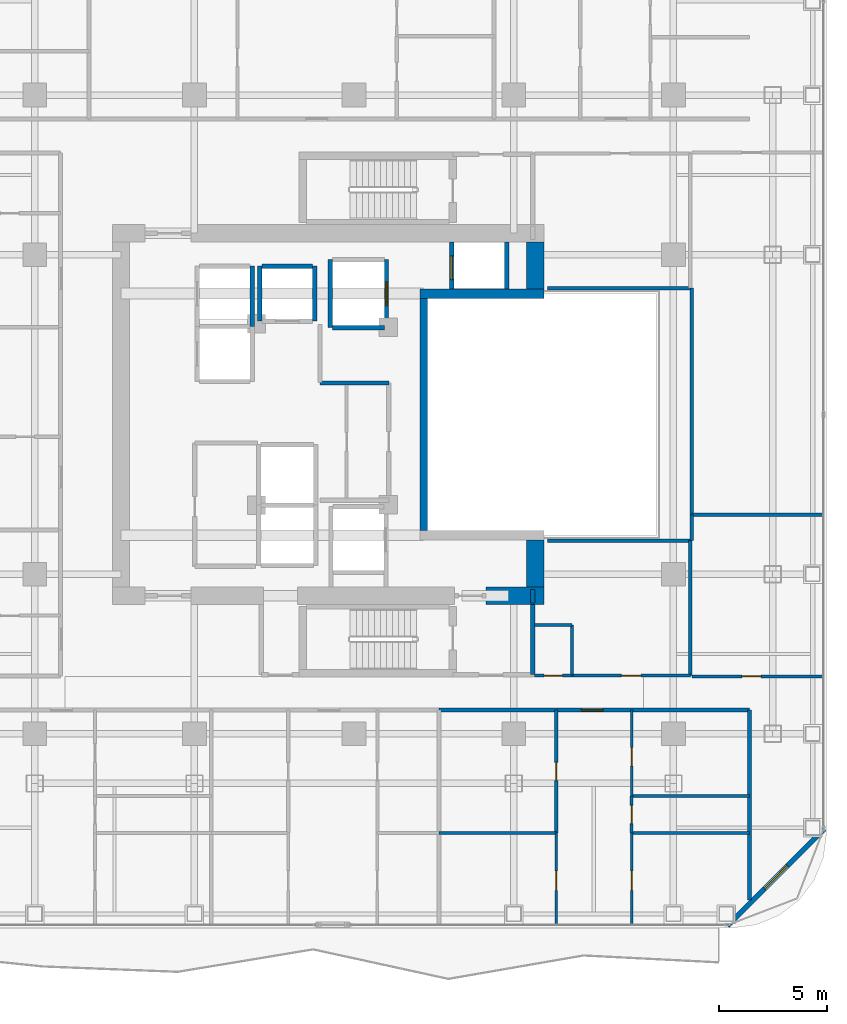
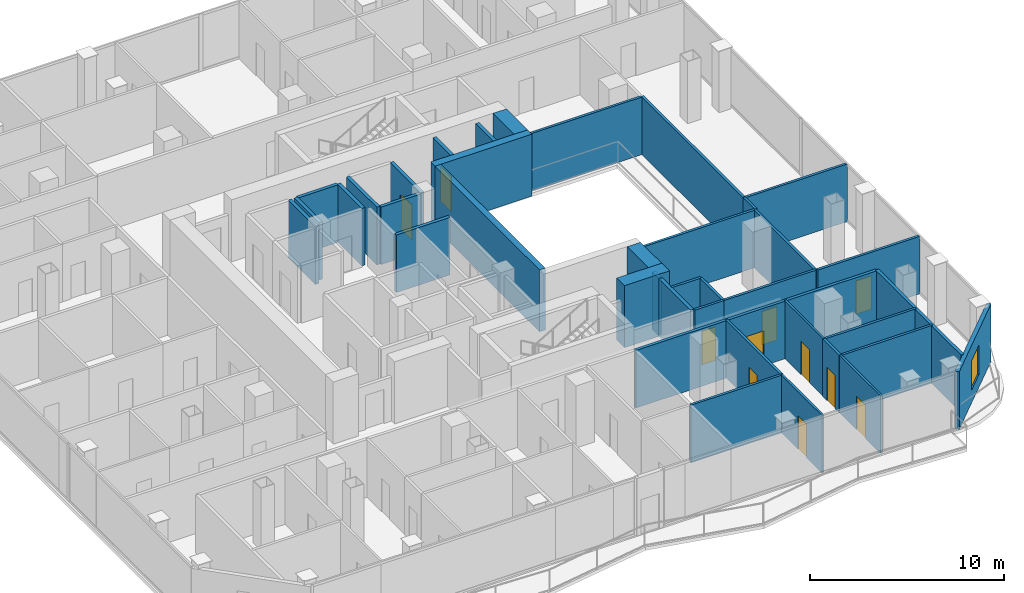
# One storey, part 21 of 26: 39 walls, 11 doors, 1 window, 12 openings.
"""IFC4 building model written with IfcOpenShell, lengths in metres."""

from ifc_helpers import new_model, si_unit, direction, frame, frame_2d, origin, place, context, subcontext, project, spatial, rectangle, extrude, material, layer, layer_set, type_object, element, fill, save


model = new_model("IFC4")

# Units and contexts
model_context = context("Model", 3, precision=1e-05, world=origin(), true_north=direction((0.0, 1.0)))
body_context = subcontext(model_context, "Body", "Model", "MODEL_VIEW")
ifc_project = project(units=[si_unit("LENGTHUNIT", "METRE"), si_unit("AREAUNIT", "SQUARE_METRE"), si_unit("VOLUMEUNIT", "CUBIC_METRE"), si_unit("PLANEANGLEUNIT", "RADIAN"), si_unit("MASSUNIT", "GRAM", prefix="KILO")], contexts=[model_context])

# Site, building, storey
site_placement = place(None, origin())
site = spatial("IfcSite", under=ifc_project, at=site_placement, CompositionType="ELEMENT")
building_placement = place(site_placement, origin())
building = spatial("IfcBuilding", under=site, at=building_placement, Name="Khorvyn Point Tower", CompositionType="ELEMENT")
storey_placement = place(building_placement, frame((0.0, 0.0, 187.5)))
storey = spatial("IfcBuildingStorey", under=building, at=storey_placement, Name="L46", CompositionType="ELEMENT", Elevation=187.5)

# Wall, opening, door
ifc_material_1 = material(Name="Double acoustic gypsum on twin steel stud", Category="steel")
ifc_layer_1 = layer(ifc_material_1, 0.179931640625)
ifc_layer_set_1 = layer_set([ifc_layer_1], Name="Acoustic Double-Stud Apartment Demising Wall 180")
wall_type_1 = type_object("IfcWallType", Name="Acoustic Double-Stud Apartment Demising Wall 180", PredefinedType="PARTITIONING", material=ifc_layer_set_1)
wall_1_placement = place(storey_placement, frame((3.929931640625, -13.699951171875, 0.0), z_axis=(0.0, 0.0, 1.0), x_axis=(1.0, 0.0, 0.0)))
wall_1 = element("IfcWall", 1, at=wall_1_placement, inside=storey, type_object=wall_type_1, Name="Wall", PredefinedType="PARTITIONING", context=body_context, shape_type="SweptSolid", body=[
    extrude(rectangle(XDim=14.39013671875, YDim=0.179931640625, at=frame_2d((7.195068359375, 0.0))), origin(), (0.0, 0.0, 1.0), 3.6201171875),
])
opening_1_placement = place(wall_1_placement, frame((6.60546875, 0.0, 0.0)))
opening_1 = element("IfcOpeningElement", 2, at=opening_1_placement, cuts=wall_1, Name="Opening ID-AP60", PredefinedType="OPENING", context=body_context, shape_type="SweptSolid", body=[
    extrude(rectangle(XDim=1.0, YDim=2.199951171875, at=frame_2d((0.5, 1.10009765625))), frame((0.0, 0.099853515625, 0.0), z_axis=(0.0, -1.0, 0.0), x_axis=(1.0, 0.0, 0.0)), (0.0, 0.0, 1.0), 0.199951171875),
])
ifc_material_2 = material(Name="Engineered hardwood fire-rated leaf", Category="wood")
door_type_1 = type_object("IfcDoorType", Name="Acoustic Solid-Core Timber Apartment Entrance Door 1000x2200", OperationType="NOTDEFINED", PredefinedType="DOOR", material=ifc_material_2)
door_1_placement = place(opening_1_placement, origin())
door_1 = element("IfcDoor", 3, at=door_1_placement, inside=storey, type_object=door_type_1, Name="Door", OperationType="SINGLE_SWING_LEFT", OverallHeight=2.199951171875, OverallWidth=1.0, PredefinedType="DOOR", context=body_context, shape_type="SweptSolid", body=[
    extrude(rectangle(XDim=1.0, YDim=2.199951171875, at=frame_2d((0.5, 1.10009765625))), frame((0.0, 0.02490234375, 0.0), z_axis=(0.0, -1.0, 0.0), x_axis=(1.0, 0.0, 0.0)), (0.0, 0.0, 1.0), 0.050048828125),
])
fill(opening_1, door_1)

# Wall
wall_2_placement = place(storey_placement, frame((18.320068359375, -22.510009765625, 0.0), z_axis=(0.0, 0.0, 1.0), x_axis=(0.0, 1.0, 0.0)))
element("IfcWall", 4, at=wall_2_placement, inside=storey, type_object=wall_type_1, Name="Wall", PredefinedType="PARTITIONING", context=body_context, shape_type="SweptSolid", body=[
    extrude(rectangle(XDim=8.81005859375, YDim=0.179931640625, at=frame_2d((4.405029296875, 0.0))), origin(), (0.0, 0.0, 1.0), 3.6201171875),
])

# Wall, opening, window
ifc_material_3 = material(Name="Pale anodised aluminium rainscreen on steel stud", Category="steel")
ifc_layer_2 = layer(ifc_material_3, 0.239990234375)
ifc_layer_set_2 = layer_set([ifc_layer_2], Name="Anodised Aluminium Insulated Corner Spandrel Wall 240")
wall_type_2 = type_object("IfcWallType", Name="Anodised Aluminium Insulated Corner Spandrel Wall 240", PredefinedType="SOLIDWALL", material=ifc_layer_set_2)
wall_3_placement = place(storey_placement, frame((21.79248046875, -19.20751953125, 0.0), z_axis=(0.0, 0.0, 1.0), x_axis=(-0.707106781187, -0.707106781187, 0.0)))
wall_3 = element("IfcWall", 5, at=wall_3_placement, inside=storey, type_object=wall_type_2, Name="L46 Rounded Corner Wall SE", PredefinedType="SOLIDWALL", context=body_context, shape_type="SweptSolid", body=[
    extrude(rectangle(XDim=6.342529296875, YDim=0.239990234375, at=frame_2d((3.17138671875, 0.0))), origin(), (0.0, 0.0, 1.0), 3.6201171875),
])
opening_2_placement = place(wall_3_placement, frame((2.42138671875, 0.0, 0.800048828125)))
opening_2 = element("IfcOpeningElement", 6, at=opening_2_placement, cuts=wall_3, Name="Opening WN-1518", PredefinedType="OPENING", context=body_context, shape_type="SweptSolid", body=[
    extrude(rectangle(XDim=1.5, YDim=1.85009765625, at=frame_2d((0.75, 0.925048828125))), frame((0.0, 0.1298828125, 0.0), z_axis=(0.0, -1.0, 0.0), x_axis=(1.0, 0.0, 0.0)), (0.0, 0.0, 1.0), 0.260009765625),
])
ifc_material_4 = material(Name="Anodised aluminium 6063-T6 and laminated Low-E glass", Category="aluminium")
window_type = type_object("IfcWindowType", Name="Anodised Aluminium Rounded-Corner Panoramic Window 1500x1850", PartitioningType="SINGLE_PANEL", PredefinedType="WINDOW", material=ifc_material_4)
window_placement = place(opening_2_placement, origin())
window = element("IfcWindow", 7, at=window_placement, inside=storey, type_object=window_type, Name="L46 Corner Panoramic Window SE", OverallHeight=1.85009765625, OverallWidth=1.5, PartitioningType="SINGLE_PANEL", PredefinedType="WINDOW", context=body_context, shape_type="SweptSolid", body=[
    extrude(rectangle(XDim=1.5, YDim=1.85009765625, at=frame_2d((0.75, 0.925048828125))), frame((0.0, 0.030029296875, 0.0), z_axis=(0.0, -1.0, 0.0), x_axis=(1.0, 0.0, 0.0)), (0.0, 0.0, 1.0), 0.06005859375),
])
fill(opening_2, window)

# Walls
ifc_material_5 = material(Name="Concrete C40/50", Category="concrete")
ifc_layer_3 = layer(ifc_material_5, 0.449951171875)
ifc_layer_set_3 = layer_set([ifc_layer_3], Name="Concrete C40/50 Core Shear Wall 450")
wall_type_3 = type_object("IfcWallType", Name="Concrete C40/50 Core Shear Wall 450", PredefinedType="SHEAR", material=ifc_layer_set_3)
wall_4_placement = place(storey_placement, frame((3.044921875, 5.60009765625, 0.0), z_axis=(0.0, 0.0, 1.0), x_axis=(1.0, 0.0, 0.0)))
element("IfcWall", 8, at=wall_4_placement, inside=storey, type_object=wall_type_3, Name="Wall", PredefinedType="SHEAR", context=body_context, shape_type="SweptSolid", body=[
    extrude(rectangle(XDim=5.755126953125, YDim=0.449951171875, at=frame_2d((2.87744140625, 0.0))), origin(), (0.0, 0.0, 1.0), 3.89990234375),
])
ifc_layer_4 = layer(ifc_material_5, 0.199951171875)
ifc_layer_set_4 = layer_set([ifc_layer_4], Name="Concrete C40/50 Fire-Lobby Compartment Wall 200")
wall_type_4 = type_object("IfcWallType", Name="Concrete C40/50 Fire-Lobby Compartment Wall 200", PredefinedType="SOLIDWALL", material=ifc_layer_set_4)
wall_5_placement = place(storey_placement, frame((8.280029296875, -12.06005859375, 0.0), z_axis=(0.0, 0.0, 1.0), x_axis=(0.0, 1.0, 0.0)))
element("IfcWall", 9, at=wall_5_placement, inside=storey, type_object=wall_type_4, Name="Wall", PredefinedType="SOLIDWALL", context=body_context, shape_type="SweptSolid", body=[
    extrude(rectangle(XDim=3.260009765625, YDim=0.199951171875, at=frame_2d((1.6298828125, 0.0))), origin(), (0.0, 0.0, 1.0), 3.6201171875),
])
wall_6_placement = place(storey_placement, frame((-1.580078125, 1.4599609375, 0.0), z_axis=(0.0, 0.0, 1.0), x_axis=(1.0, 0.0, 0.0)))
element("IfcWall", 10, at=wall_6_placement, inside=storey, type_object=wall_type_4, Name="Wall", PredefinedType="SOLIDWALL", context=body_context, shape_type="SweptSolid", body=[
    extrude(rectangle(XDim=3.190185546875, YDim=0.199951171875, at=frame_2d((1.59521484375, 0.0))), origin(), (0.0, 0.0, 1.0), 3.6201171875),
])
wall_7_placement = place(storey_placement, frame((8.280029296875, -8.72509765625, 0.0), z_axis=(0.0, 0.0, 1.0), x_axis=(0.0, 1.0, 0.0)))
element("IfcWall", 11, at=wall_7_placement, inside=storey, type_object=wall_type_4, Name="Wall", PredefinedType="SOLIDWALL", context=body_context, shape_type="SweptSolid", body=[
    extrude(rectangle(XDim=0.625, YDim=0.199951171875, at=frame_2d((0.3125, 0.0))), origin(), (0.0, 0.0, 1.0), 3.6201171875),
])
ifc_layer_5 = layer(ifc_material_5, 0.35009765625)
ifc_layer_set_5 = layer_set([ifc_layer_5], Name="Concrete C40/50 Stair Shaft Structural Wall 350")
wall_type_5 = type_object("IfcWallType", Name="Concrete C40/50 Stair Shaft Structural Wall 350", PredefinedType="SHEAR", material=ifc_layer_set_5)
wall_8_placement = place(storey_placement, frame((3.219970703125, -5.375, 0.0), z_axis=(0.0, 0.0, 1.0), x_axis=(0.0, 1.0, 0.0)))
element("IfcWall", 12, at=wall_8_placement, inside=storey, type_object=wall_type_5, Name="Wall", PredefinedType="SHEAR", context=body_context, shape_type="SweptSolid", body=[
    extrude(rectangle(XDim=10.75, YDim=0.35009765625, at=frame_2d((5.375, 0.0))), origin(), (0.0, 0.0, 1.0), 3.89990234375),
])
ifc_layer_6 = layer(ifc_material_5, 0.199951171875)
ifc_layer_set_6 = layer_set([ifc_layer_6], Name="Concrete C40/50 Structural Hoistway and Stair Shaft Wall 200")
wall_type_6 = type_object("IfcWallType", Name="Concrete C40/50 Structural Hoistway and Stair Shaft Wall 200", PredefinedType="SHEAR", material=ifc_layer_set_6)
wall_9_placement = place(storey_placement, frame((-4.72509765625, 4.074951171875, 0.0), z_axis=(0.0, 0.0, 1.0), x_axis=(0.0, 1.0, 0.0)))
element("IfcWall", 13, at=wall_9_placement, inside=storey, type_object=wall_type_6, Name="Wall", PredefinedType="SHEAR", context=body_context, shape_type="SweptSolid", body=[
    extrude(rectangle(XDim=2.800048828125, YDim=0.199951171875, at=frame_2d((1.39990234375, 0.0))), origin(), (0.0, 0.0, 1.0), 3.6201171875),
])
for number, where, z_axis, x_axis, name in (
    (14, (-4.375, 4.324951171875, 0.0), (0.0, 0.0, 1.0), (0.0, 1.0, 0.0), "Wall"),
    (15, (-1.824951171875, 4.324951171875, 0.0), (0.0, 0.0, 1.0), (0.0, 1.0, 0.0), "Wall"),
):
    element("IfcWall", number, at=place(storey_placement, frame(where, z_axis=z_axis, x_axis=x_axis)), inside=storey, type_object=wall_type_6, Name=name, PredefinedType="SHEAR", context=body_context, shape_type="SweptSolid", body=[
        extrude(rectangle(XDim=2.550048828125, YDim=0.199951171875, at=frame_2d((1.27490234375, 0.0))), origin(), (0.0, 0.0, 1.0), 3.6201171875),
    ])
wall_10_placement = place(storey_placement, frame((-4.27490234375, 6.875, 0.0), z_axis=(0.0, 0.0, 1.0), x_axis=(1.0, 0.0, 0.0)))
element("IfcWall", 16, at=wall_10_placement, inside=storey, type_object=wall_type_6, Name="Wall", PredefinedType="SHEAR", context=body_context, shape_type="SweptSolid", body=[
    extrude(rectangle(XDim=2.349853515625, YDim=0.199951171875, at=frame_2d((1.1748046875, 0.0))), origin(), (0.0, 0.0, 1.0), 3.6201171875),
])
wall_11_placement = place(storey_placement, frame((-1.10009765625, 4.02490234375, 0.0), z_axis=(0.0, 0.0, 1.0), x_axis=(0.0, 1.0, 0.0)))
element("IfcWall", 17, at=wall_11_placement, inside=storey, type_object=wall_type_6, Name="Wall", PredefinedType="SHEAR", context=body_context, shape_type="SweptSolid", body=[
    extrude(rectangle(XDim=3.150146484375, YDim=0.199951171875, at=frame_2d((1.5751953125, 0.0))), origin(), (0.0, 0.0, 1.0), 3.6201171875),
])

# Wall, opening, door
wall_12_placement = place(storey_placement, frame((1.5, 4.02490234375, 0.0), z_axis=(0.0, 0.0, 1.0), x_axis=(0.0, 1.0, 0.0)))
wall_12 = element("IfcWall", 18, at=wall_12_placement, inside=storey, type_object=wall_type_6, Name="Wall", PredefinedType="SHEAR", context=body_context, shape_type="SweptSolid", body=[
    extrude(rectangle(XDim=3.150146484375, YDim=0.199951171875, at=frame_2d((1.5751953125, 0.0))), origin(), (0.0, 0.0, 1.0), 3.6201171875),
])
opening_3_placement = place(wall_12_placement, frame((1.02490234375, 0.0, 0.0)))
opening_3 = element("IfcOpeningElement", 19, at=opening_3_placement, cuts=wall_12, Name="Opening LD-1122", PredefinedType="OPENING", context=body_context, shape_type="SweptSolid", body=[
    extrude(rectangle(XDim=1.10009765625, YDim=2.199951171875, at=frame_2d((0.550048828125, 1.10009765625))), frame((0.0, 0.10986328125, 0.0), z_axis=(0.0, -1.0, 0.0), x_axis=(1.0, 0.0, 0.0)), (0.0, 0.0, 1.0), 0.219970703125),
])
ifc_material_6 = material(Name="Stainless steel 1.4301", Category="steel")
door_type_2 = type_object("IfcDoorType", Name="Stainless Steel Automatic Sliding Lift Landing Door 1100x2200", OperationType="SLIDING_TO_LEFT", PredefinedType="DOOR", material=ifc_material_6)
door_2_placement = place(opening_3_placement, origin())
door_2 = element("IfcDoor", 20, at=door_2_placement, inside=storey, type_object=door_type_2, Name="L46 SV-01 Sliding Lift Landing Door", OperationType="SLIDING_TO_LEFT", OverallHeight=2.199951171875, OverallWidth=1.10009765625, PredefinedType="DOOR", context=body_context, shape_type="SweptSolid", body=[
    extrude(rectangle(XDim=1.10009765625, YDim=2.199951171875, at=frame_2d((0.550048828125, 1.10009765625))), frame((0.0, 0.02490234375, 0.0), z_axis=(0.0, -1.0, 0.0), x_axis=(1.0, 0.0, 0.0)), (0.0, 0.0, 1.0), 0.050048828125),
])
fill(opening_3, door_2)

# Wall
wall_13_placement = place(storey_placement, frame((-1.0, 4.02490234375, 0.0), z_axis=(0.0, 0.0, 1.0), x_axis=(1.0, 0.0, 0.0)))
element("IfcWall", 21, at=wall_13_placement, inside=storey, type_object=wall_type_6, Name="Wall", PredefinedType="SHEAR", context=body_context, shape_type="SweptSolid", body=[
    extrude(rectangle(XDim=2.39990234375, YDim=0.199951171875, at=frame_2d((1.199951171875, 0.0))), origin(), (0.0, 0.0, 1.0), 3.6201171875),
])

# Wall, opening, door
wall_14_placement = place(storey_placement, frame((4.52490234375, 5.824951171875, 0.0), z_axis=(0.0, 0.0, 1.0), x_axis=(0.0, 1.0, 0.0)))
wall_14 = element("IfcWall", 22, at=wall_14_placement, inside=storey, type_object=wall_type_6, Name="Wall", PredefinedType="SHEAR", context=body_context, shape_type="SweptSolid", body=[
    extrude(rectangle(XDim=2.175048828125, YDim=0.199951171875, at=frame_2d((1.08740234375, 0.0))), origin(), (0.0, 0.0, 1.0), 3.6201171875),
])
opening_4_placement = place(wall_14_placement, frame((0.425048828125, 0.0, 0.0)))
opening_4 = element("IfcOpeningElement", 23, at=opening_4_placement, cuts=wall_14, Name="Opening LD-1122", PredefinedType="OPENING", context=body_context, shape_type="SweptSolid", body=[
    extrude(rectangle(XDim=1.10009765625, YDim=2.199951171875, at=frame_2d((0.550048828125, 1.10009765625))), frame((0.0, 0.10986328125, 0.0), z_axis=(0.0, -1.0, 0.0), x_axis=(1.0, 0.0, 0.0)), (0.0, 0.0, 1.0), 0.219970703125),
])
door_3_placement = place(opening_4_placement, origin())
door_3 = element("IfcDoor", 24, at=door_3_placement, inside=storey, type_object=door_type_2, Name="L46 FF-02 Sliding Lift Landing Door", OperationType="SLIDING_TO_LEFT", OverallHeight=2.199951171875, OverallWidth=1.10009765625, PredefinedType="DOOR", context=body_context, shape_type="SweptSolid", body=[
    extrude(rectangle(XDim=1.10009765625, YDim=2.199951171875, at=frame_2d((0.550048828125, 1.10009765625))), frame((0.0, 0.02490234375, 0.0), z_axis=(0.0, -1.0, 0.0), x_axis=(1.0, 0.0, 0.0)), (0.0, 0.0, 1.0), 0.050048828125),
])
fill(opening_4, door_3)

# Walls
wall_15_placement = place(storey_placement, frame((7.074951171875, 5.824951171875, 0.0), z_axis=(0.0, 0.0, 1.0), x_axis=(0.0, 1.0, 0.0)))
element("IfcWall", 25, at=wall_15_placement, inside=storey, type_object=wall_type_6, Name="Wall", PredefinedType="SHEAR", context=body_context, shape_type="SweptSolid", body=[
    extrude(rectangle(XDim=2.175048828125, YDim=0.199951171875, at=frame_2d((1.08740234375, 0.0))), origin(), (0.0, 0.0, 1.0), 3.6201171875),
])
ifc_material_7 = material(Name="Concrete C45/55", Category="concrete")
ifc_layer_7 = layer(ifc_material_7, 0.800048828125)
ifc_layer_set_7 = layer_set([ifc_layer_7], Name="Concrete C45/55 Core Shear Wall 800")
wall_type_7 = type_object("IfcWallType", Name="Concrete C45/55 Core Shear Wall 800", PredefinedType="SHEAR", material=ifc_layer_set_7)
wall_16_placement = place(storey_placement, frame((6.1201171875, -8.39990234375, 0.0), z_axis=(0.0, 0.0, 1.0), x_axis=(1.0, 0.0, 0.0)))
element("IfcWall", 26, at=wall_16_placement, inside=storey, type_object=wall_type_7, Name="Wall", PredefinedType="SHEAR", context=body_context, shape_type="SweptSolid", body=[
    extrude(rectangle(XDim=2.679931640625, YDim=0.800048828125, at=frame_2d((1.33984375, 0.0))), origin(), (0.0, 0.0, 1.0), 3.89990234375),
])
for number, where, z_axis, x_axis, name in (
    (27, (8.39990234375, -8.0, 0.0), (0.0, 0.0, 1.0), (0.0, 1.0, 0.0), "Wall"),
    (28, (8.39990234375, 5.824951171875, 0.0), (0.0, 0.0, 1.0), (0.0, 1.0, 0.0), "Wall"),
):
    element("IfcWall", number, at=place(storey_placement, frame(where, z_axis=z_axis, x_axis=x_axis)), inside=storey, type_object=wall_type_7, Name=name, PredefinedType="SHEAR", context=body_context, shape_type="SweptSolid", body=[
        extrude(rectangle(XDim=2.175048828125, YDim=0.800048828125, at=frame_2d((1.08740234375, 0.0))), origin(), (0.0, 0.0, 1.0), 3.89990234375),
    ])

# Wall, opening, door
ifc_material_8 = material(Name="Gypsum plasterboard on steel stud", Category="steel")
ifc_layer_8 = layer(ifc_material_8, 0.1201171875)
ifc_layer_set_8 = layer_set([ifc_layer_8], Name="Gypsum Acoustic Stud Room Partition Wall 120")
wall_type_8 = type_object("IfcWallType", Name="Gypsum Acoustic Stud Room Partition Wall 120", PredefinedType="PARTITIONING", material=ifc_layer_set_8)
wall_17_placement = place(storey_placement, frame((9.3720703125, -23.6298828125, 0.0), z_axis=(0.0, 0.0, 1.0), x_axis=(0.0, 1.0, 0.0)))
wall_17 = element("IfcWall", 29, at=wall_17_placement, inside=storey, type_object=wall_type_8, Name="Wall", PredefinedType="PARTITIONING", context=body_context, shape_type="SweptSolid", body=[
    extrude(rectangle(XDim=4.239990234375, YDim=0.1201171875, at=frame_2d((2.1201171875, 0.0))), origin(), (0.0, 0.0, 1.0), 3.6201171875),
])
opening_5_placement = place(wall_17_placement, frame((1.581298828125, 0.0, 0.0)))
opening_5 = element("IfcOpeningElement", 30, at=opening_5_placement, cuts=wall_17, Name="Opening ID-RM90", PredefinedType="OPENING", context=body_context, shape_type="SweptSolid", body=[
    extrude(rectangle(XDim=0.89990234375, YDim=2.10009765625, at=frame_2d((0.449951171875, 1.050048828125))), frame((0.0, 0.070068359375, 0.0), z_axis=(0.0, -1.0, 0.0), x_axis=(1.0, 0.0, 0.0)), (0.0, 0.0, 1.0), 0.14013671875),
])
ifc_material_9 = material(Name="Engineered oak veneer timber", Category="wood")
door_type_3 = type_object("IfcDoorType", Name="Flush Engineered Timber Room Door 900x2100", OperationType="NOTDEFINED", PredefinedType="DOOR", material=ifc_material_9)
door_4_placement = place(opening_5_placement, origin())
door_4 = element("IfcDoor", 31, at=door_4_placement, inside=storey, type_object=door_type_3, Name="Door", OperationType="SINGLE_SWING_LEFT", OverallHeight=2.10009765625, OverallWidth=0.89990234375, PredefinedType="DOOR", context=body_context, shape_type="SweptSolid", body=[
    extrude(rectangle(XDim=0.89990234375, YDim=2.10009765625, at=frame_2d((0.449951171875, 1.050048828125))), frame((0.0, 0.02490234375, 0.0), z_axis=(0.0, -1.0, 0.0), x_axis=(1.0, 0.0, 0.0)), (0.0, 0.0, 1.0), 0.050048828125),
])
fill(opening_5, door_4)

wall_18_placement = place(storey_placement, frame((12.85888671875, -17.68310546875, 0.0), z_axis=(0.0, 0.0, 1.0), x_axis=(0.0, 1.0, 0.0)))
wall_18 = element("IfcWall", 32, at=wall_18_placement, inside=storey, type_object=wall_type_8, Name="Wall", PredefinedType="PARTITIONING", context=body_context, shape_type="SweptSolid", body=[
    extrude(rectangle(XDim=3.983154296875, YDim=0.1201171875, at=frame_2d((1.99169921875, 0.0))), origin(), (0.0, 0.0, 1.0), 3.6201171875),
])
opening_6_placement = place(wall_18_placement, frame((1.390625, 0.0, 0.0)))
opening_6 = element("IfcOpeningElement", 33, at=opening_6_placement, cuts=wall_18, Name="Opening ID-WC85", PredefinedType="OPENING", context=body_context, shape_type="SweptSolid", body=[
    extrude(rectangle(XDim=0.85009765625, YDim=2.10009765625, at=frame_2d((0.425048828125, 1.050048828125))), frame((0.0, 0.070068359375, 0.0), z_axis=(0.0, -1.0, 0.0), x_axis=(1.0, 0.0, 0.0)), (0.0, 0.0, 1.0), 0.14013671875),
])
ifc_material_10 = material(Name="High-pressure laminate on moisture-resistant core", Category="wood")
door_type_4 = type_object("IfcDoorType", Name="Moisture-Resistant Accessible Washroom Door 850x2100", OperationType="NOTDEFINED", PredefinedType="DOOR", material=ifc_material_10)
door_5_placement = place(opening_6_placement, origin())
door_5 = element("IfcDoor", 34, at=door_5_placement, inside=storey, type_object=door_type_4, Name="Door", OperationType="SINGLE_SWING_LEFT", OverallHeight=2.10009765625, OverallWidth=0.85009765625, PredefinedType="DOOR", context=body_context, shape_type="SweptSolid", body=[
    extrude(rectangle(XDim=0.85009765625, YDim=2.10009765625, at=frame_2d((0.425048828125, 1.050048828125))), frame((0.0, 0.02490234375, 0.0), z_axis=(0.0, -1.0, 0.0), x_axis=(1.0, 0.0, 0.0)), (0.0, 0.0, 1.0), 0.050048828125),
])
fill(opening_6, door_5)

wall_19_placement = place(storey_placement, frame((12.85888671875, -23.6298828125, 0.0), z_axis=(0.0, 0.0, 1.0), x_axis=(0.0, 1.0, 0.0)))
wall_19 = element("IfcWall", 35, at=wall_19_placement, inside=storey, type_object=wall_type_8, Name="Wall", PredefinedType="PARTITIONING", context=body_context, shape_type="SweptSolid", body=[
    extrude(rectangle(XDim=4.239990234375, YDim=0.1201171875, at=frame_2d((2.1201171875, 0.0))), origin(), (0.0, 0.0, 1.0), 3.6201171875),
])
opening_7_placement = place(wall_19_placement, frame((1.581298828125, 0.0, 0.0)))
opening_7 = element("IfcOpeningElement", 36, at=opening_7_placement, cuts=wall_19, Name="Opening ID-RM90", PredefinedType="OPENING", context=body_context, shape_type="SweptSolid", body=[
    extrude(rectangle(XDim=0.89990234375, YDim=2.10009765625, at=frame_2d((0.449951171875, 1.050048828125))), frame((0.0, 0.070068359375, 0.0), z_axis=(0.0, -1.0, 0.0), x_axis=(1.0, 0.0, 0.0)), (0.0, 0.0, 1.0), 0.14013671875),
])
door_6_placement = place(opening_7_placement, origin())
door_6 = element("IfcDoor", 37, at=door_6_placement, inside=storey, type_object=door_type_3, Name="Door", OperationType="SINGLE_SWING_RIGHT", OverallHeight=2.10009765625, OverallWidth=0.89990234375, PredefinedType="DOOR", context=body_context, shape_type="SweptSolid", body=[
    extrude(rectangle(XDim=0.89990234375, YDim=2.10009765625, at=frame_2d((0.449951171875, 1.050048828125))), frame((0.0, 0.02490234375, 0.0), z_axis=(0.0, -1.0, 0.0), x_axis=(1.0, 0.0, 0.0)), (0.0, 0.0, 1.0), 0.050048828125),
])
fill(opening_7, door_6)

ifc_material_11 = material(Name="Moisture-resistant gypsum and cement board", Category="gypsum")
ifc_layer_9 = layer(ifc_material_11, 0.14990234375)
ifc_layer_set_9 = layer_set([ifc_layer_9], Name="Moisture-Resistant Wet-Room Partition Wall 150")
wall_type_9 = type_object("IfcWallType", Name="Moisture-Resistant Wet-Room Partition Wall 150", PredefinedType="PARTITIONING", material=ifc_layer_set_9)
wall_20_placement = place(storey_placement, frame((8.360107421875, -12.10009765625, 0.0), z_axis=(0.0, 0.0, 1.0), x_axis=(1.0, 0.0, 0.0)))
wall_20 = element("IfcWall", 38, at=wall_20_placement, inside=storey, type_object=wall_type_9, Name="Wall", PredefinedType="PARTITIONING", context=body_context, shape_type="SweptSolid", body=[
    extrude(rectangle(XDim=1.739990234375, YDim=0.14990234375, at=frame_2d((0.8701171875, 0.0))), origin(), (0.0, 0.0, 1.0), 3.6201171875),
])
opening_8_placement = place(wall_20_placement, frame((0.445068359375, 0.0, 0.0)))
opening_8 = element("IfcOpeningElement", 39, at=opening_8_placement, cuts=wall_20, Name="Opening ID-WC85", PredefinedType="OPENING", context=body_context, shape_type="SweptSolid", body=[
    extrude(rectangle(XDim=0.85009765625, YDim=2.10009765625, at=frame_2d((0.425048828125, 1.050048828125))), frame((0.0, 0.0849609375, 0.0), z_axis=(0.0, -1.0, 0.0), x_axis=(1.0, 0.0, 0.0)), (0.0, 0.0, 1.0), 0.169921875),
])
door_7_placement = place(opening_8_placement, origin())
door_7 = element("IfcDoor", 40, at=door_7_placement, inside=storey, type_object=door_type_4, Name="Door", OperationType="SINGLE_SWING_LEFT", OverallHeight=2.10009765625, OverallWidth=0.85009765625, PredefinedType="DOOR", context=body_context, shape_type="SweptSolid", body=[
    extrude(rectangle(XDim=0.85009765625, YDim=2.10009765625, at=frame_2d((0.425048828125, 1.050048828125))), frame((0.0, 0.02490234375, 0.0), z_axis=(0.0, -1.0, 0.0), x_axis=(1.0, 0.0, 0.0)), (0.0, 0.0, 1.0), 0.050048828125),
])
fill(opening_8, door_7)

wall_21_placement = place(storey_placement, frame((10.10009765625, -12.10009765625, 0.0), z_axis=(0.0, 0.0, 1.0), x_axis=(1.0, 0.0, 0.0)))
wall_21 = element("IfcWall", 41, at=wall_21_placement, inside=storey, type_object=wall_type_9, Name="Wall", PredefinedType="PARTITIONING", context=body_context, shape_type="SweptSolid", body=[
    extrude(rectangle(XDim=5.47998046875, YDim=0.14990234375, at=frame_2d((2.739990234375, 0.0))), origin(), (0.0, 0.0, 1.0), 3.6201171875),
])
opening_9_placement = place(wall_21_placement, frame((2.2900390625, 0.0, 0.0)))
opening_9 = element("IfcOpeningElement", 42, at=opening_9_placement, cuts=wall_21, Name="Opening ID-RM90", PredefinedType="OPENING", context=body_context, shape_type="SweptSolid", body=[
    extrude(rectangle(XDim=0.89990234375, YDim=2.10009765625, at=frame_2d((0.449951171875, 1.050048828125))), frame((0.0, 0.0849609375, 0.0), z_axis=(0.0, -1.0, 0.0), x_axis=(1.0, 0.0, 0.0)), (0.0, 0.0, 1.0), 0.169921875),
])
door_8_placement = place(opening_9_placement, origin())
door_8 = element("IfcDoor", 43, at=door_8_placement, inside=storey, type_object=door_type_3, Name="Door", OperationType="SINGLE_SWING_RIGHT", OverallHeight=2.10009765625, OverallWidth=0.89990234375, PredefinedType="DOOR", context=body_context, shape_type="SweptSolid", body=[
    extrude(rectangle(XDim=0.89990234375, YDim=2.10009765625, at=frame_2d((0.449951171875, 1.050048828125))), frame((0.0, 0.02490234375, 0.0), z_axis=(0.0, -1.0, 0.0), x_axis=(1.0, 0.0, 0.0)), (0.0, 0.0, 1.0), 0.050048828125),
])
fill(opening_9, door_8)

wall_22_placement = place(storey_placement, frame((9.3720703125, -19.389892578125, 0.0), z_axis=(0.0, 0.0, 1.0), x_axis=(0.0, 1.0, 0.0)))
wall_22 = element("IfcWall", 44, at=wall_22_placement, inside=storey, type_object=wall_type_9, Name="Wall", PredefinedType="PARTITIONING", context=body_context, shape_type="SweptSolid", body=[
    extrude(rectangle(XDim=5.68994140625, YDim=0.14990234375, at=frame_2d((2.844970703125, 0.0))), origin(), (0.0, 0.0, 1.0), 3.6201171875),
])
opening_10_placement = place(wall_22_placement, frame((2.419921875, 0.0, 0.0)))
opening_10 = element("IfcOpeningElement", 45, at=opening_10_placement, cuts=wall_22, Name="Opening ID-WC85", PredefinedType="OPENING", context=body_context, shape_type="SweptSolid", body=[
    extrude(rectangle(XDim=0.85009765625, YDim=2.10009765625, at=frame_2d((0.425048828125, 1.050048828125))), frame((0.0, 0.0849609375, 0.0), z_axis=(0.0, -1.0, 0.0), x_axis=(1.0, 0.0, 0.0)), (0.0, 0.0, 1.0), 0.169921875),
])
door_9_placement = place(opening_10_placement, origin())
door_9 = element("IfcDoor", 46, at=door_9_placement, inside=storey, type_object=door_type_4, Name="Door", OperationType="SINGLE_SWING_RIGHT", OverallHeight=2.10009765625, OverallWidth=0.85009765625, PredefinedType="DOOR", context=body_context, shape_type="SweptSolid", body=[
    extrude(rectangle(XDim=0.85009765625, YDim=2.10009765625, at=frame_2d((0.425048828125, 1.050048828125))), frame((0.0, 0.02490234375, 0.0), z_axis=(0.0, -1.0, 0.0), x_axis=(1.0, 0.0, 0.0)), (0.0, 0.0, 1.0), 0.050048828125),
])
fill(opening_10, door_9)

wall_23_placement = place(storey_placement, frame((12.85888671875, -19.389892578125, 0.0), z_axis=(0.0, 0.0, 1.0), x_axis=(0.0, 1.0, 0.0)))
wall_23 = element("IfcWall", 47, at=wall_23_placement, inside=storey, type_object=wall_type_9, Name="Wall", PredefinedType="PARTITIONING", context=body_context, shape_type="SweptSolid", body=[
    extrude(rectangle(XDim=1.706787109375, YDim=0.14990234375, at=frame_2d((0.853515625, 0.0))), origin(), (0.0, 0.0, 1.0), 3.6201171875),
])
opening_11_placement = place(wall_23_placement, frame((0.428466796875, 0.0, 0.0)))
opening_11 = element("IfcOpeningElement", 48, at=opening_11_placement, cuts=wall_23, Name="Opening ID-WC85", PredefinedType="OPENING", context=body_context, shape_type="SweptSolid", body=[
    extrude(rectangle(XDim=0.85009765625, YDim=2.10009765625, at=frame_2d((0.425048828125, 1.050048828125))), frame((0.0, 0.0849609375, 0.0), z_axis=(0.0, -1.0, 0.0), x_axis=(1.0, 0.0, 0.0)), (0.0, 0.0, 1.0), 0.169921875),
])
door_10_placement = place(opening_11_placement, origin())
door_10 = element("IfcDoor", 49, at=door_10_placement, inside=storey, type_object=door_type_4, Name="Door", OperationType="SINGLE_SWING_RIGHT", OverallHeight=2.10009765625, OverallWidth=0.85009765625, PredefinedType="DOOR", context=body_context, shape_type="SweptSolid", body=[
    extrude(rectangle(XDim=0.85009765625, YDim=2.10009765625, at=frame_2d((0.425048828125, 1.050048828125))), frame((0.0, 0.02490234375, 0.0), z_axis=(0.0, -1.0, 0.0), x_axis=(1.0, 0.0, 0.0)), (0.0, 0.0, 1.0), 0.050048828125),
])
fill(opening_11, door_10)

wall_24_placement = place(storey_placement, frame((15.64990234375, -12.139892578125, 0.0), z_axis=(0.0, 0.0, 1.0), x_axis=(1.0, 0.0, 0.0)))
wall_24 = element("IfcWall", 50, at=wall_24_placement, inside=storey, type_object=wall_type_9, Name="Wall", PredefinedType="PARTITIONING", context=body_context, shape_type="SweptSolid", body=[
    extrude(rectangle(XDim=6.070068359375, YDim=0.14990234375, at=frame_2d((3.03515625, 0.0))), origin(), (0.0, 0.0, 1.0), 3.6201171875),
])
opening_12_placement = place(wall_24_placement, frame((2.315673828125, 0.0, 0.0)))
opening_12 = element("IfcOpeningElement", 51, at=opening_12_placement, cuts=wall_24, Name="Opening ID-RM90", PredefinedType="OPENING", context=body_context, shape_type="SweptSolid", body=[
    extrude(rectangle(XDim=0.89990234375, YDim=2.10009765625, at=frame_2d((0.449951171875, 1.050048828125))), frame((0.0, 0.0849609375, 0.0), z_axis=(0.0, -1.0, 0.0), x_axis=(1.0, 0.0, 0.0)), (0.0, 0.0, 1.0), 0.169921875),
])
door_11_placement = place(opening_12_placement, origin())
door_11 = element("IfcDoor", 52, at=door_11_placement, inside=storey, type_object=door_type_3, Name="Door", OperationType="SINGLE_SWING_LEFT", OverallHeight=2.10009765625, OverallWidth=0.89990234375, PredefinedType="DOOR", context=body_context, shape_type="SweptSolid", body=[
    extrude(rectangle(XDim=0.89990234375, YDim=2.10009765625, at=frame_2d((0.449951171875, 1.050048828125))), frame((0.0, 0.02490234375, 0.0), z_axis=(0.0, -1.0, 0.0), x_axis=(1.0, 0.0, 0.0)), (0.0, 0.0, 1.0), 0.050048828125),
])
fill(opening_12, door_11)

# Walls
wall_25_placement = place(storey_placement, frame((8.360107421875, -9.75, 0.0), z_axis=(0.0, 0.0, 1.0), x_axis=(1.0, 0.0, 0.0)))
element("IfcWall", 53, at=wall_25_placement, inside=storey, type_object=wall_type_9, Name="Wall", PredefinedType="PARTITIONING", context=body_context, shape_type="SweptSolid", body=[
    extrude(rectangle(XDim=1.739990234375, YDim=0.14990234375, at=frame_2d((0.8701171875, 0.0))), origin(), (0.0, 0.0, 1.0), 3.6201171875),
])
wall_26_placement = place(storey_placement, frame((10.10009765625, -12.10009765625, 0.0), z_axis=(0.0, 0.0, 1.0), x_axis=(0.0, 1.0, 0.0)))
element("IfcWall", 54, at=wall_26_placement, inside=storey, type_object=wall_type_9, Name="Wall", PredefinedType="PARTITIONING", context=body_context, shape_type="SweptSolid", body=[
    extrude(rectangle(XDim=2.35009765625, YDim=0.14990234375, at=frame_2d((1.175048828125, 0.0))), origin(), (0.0, 0.0, 1.0), 3.6201171875),
])
wall_27_placement = place(storey_placement, frame((15.580078125, -12.10009765625, 0.0), z_axis=(0.0, 0.0, 1.0), x_axis=(0.0, 1.0, 0.0)))
element("IfcWall", 55, at=wall_27_placement, inside=storey, type_object=wall_type_9, Name="Wall", PredefinedType="PARTITIONING", context=body_context, shape_type="SweptSolid", body=[
    extrude(rectangle(XDim=6.25, YDim=0.14990234375, at=frame_2d((3.125, 0.0))), origin(), (0.0, 0.0, 1.0), 3.6201171875),
])
for number, where, z_axis, x_axis, name in (
    (56, (8.9599609375, -5.85009765625, 0.0), (0.0, 0.0, 1.0), (1.0, 0.0, 0.0), "Wall"),
    (57, (8.9599609375, 5.85009765625, 0.0), (0.0, 0.0, 1.0), (1.0, 0.0, 0.0), "Wall"),
):
    element("IfcWall", number, at=place(storey_placement, frame(where, z_axis=z_axis, x_axis=x_axis)), inside=storey, type_object=wall_type_9, Name=name, PredefinedType="PARTITIONING", context=body_context, shape_type="SweptSolid", body=[
        extrude(rectangle(XDim=6.6201171875, YDim=0.14990234375, at=frame_2d((3.31005859375, 0.0))), origin(), (0.0, 0.0, 1.0), 3.6201171875),
    ])
wall_28_placement = place(storey_placement, frame((3.929931640625, -19.389892578125, 0.0), z_axis=(0.0, 0.0, 1.0), x_axis=(1.0, 0.0, 0.0)))
element("IfcWall", 58, at=wall_28_placement, inside=storey, type_object=wall_type_9, Name="Wall", PredefinedType="PARTITIONING", context=body_context, shape_type="SweptSolid", body=[
    extrude(rectangle(XDim=5.442138671875, YDim=0.14990234375, at=frame_2d((2.72119140625, 0.0))), origin(), (0.0, 0.0, 1.0), 3.6201171875),
])
for number, where, z_axis, x_axis, name in (
    (59, (12.85888671875, -17.68310546875, 0.0), (0.0, 0.0, 1.0), (1.0, 0.0, 0.0), "Wall"),
    (60, (12.85888671875, -19.389892578125, 0.0), (0.0, 0.0, 1.0), (1.0, 0.0, 0.0), "Wall"),
):
    element("IfcWall", number, at=place(storey_placement, frame(where, z_axis=z_axis, x_axis=x_axis)), inside=storey, type_object=wall_type_9, Name=name, PredefinedType="PARTITIONING", context=body_context, shape_type="SweptSolid", body=[
        extrude(rectangle(XDim=5.461181640625, YDim=0.14990234375, at=frame_2d((2.73046875, 0.0))), origin(), (0.0, 0.0, 1.0), 3.6201171875),
    ])
wall_29_placement = place(storey_placement, frame((15.64990234375, -5.85009765625, 0.0), z_axis=(0.0, 0.0, 1.0), x_axis=(0.0, 1.0, 0.0)))
element("IfcWall", 61, at=wall_29_placement, inside=storey, type_object=wall_type_9, Name="Wall", PredefinedType="PARTITIONING", context=body_context, shape_type="SweptSolid", body=[
    extrude(rectangle(XDim=1.2001953125, YDim=0.14990234375, at=frame_2d((0.60009765625, 0.0))), origin(), (0.0, 0.0, 1.0), 3.6201171875),
])
wall_30_placement = place(storey_placement, frame((15.64990234375, -4.64990234375, 0.0), z_axis=(0.0, 0.0, 1.0), x_axis=(0.0, 1.0, 0.0)))
element("IfcWall", 62, at=wall_30_placement, inside=storey, type_object=wall_type_9, Name="Wall", PredefinedType="PARTITIONING", context=body_context, shape_type="SweptSolid", body=[
    extrude(rectangle(XDim=10.5, YDim=0.14990234375, at=frame_2d((5.25, 0.0))), origin(), (0.0, 0.0, 1.0), 3.6201171875),
])
wall_31_placement = place(storey_placement, frame((15.64990234375, -4.64990234375, 0.0), z_axis=(0.0, 0.0, 1.0), x_axis=(1.0, 0.0, 0.0)))
element("IfcWall", 63, at=wall_31_placement, inside=storey, type_object=wall_type_9, Name="Wall", PredefinedType="PARTITIONING", context=body_context, shape_type="SweptSolid", body=[
    extrude(rectangle(XDim=6.080078125, YDim=0.14990234375, at=frame_2d((3.0400390625, 0.0))), origin(), (0.0, 0.0, 1.0), 3.6201171875),
])

save(model, "model.ifc")
